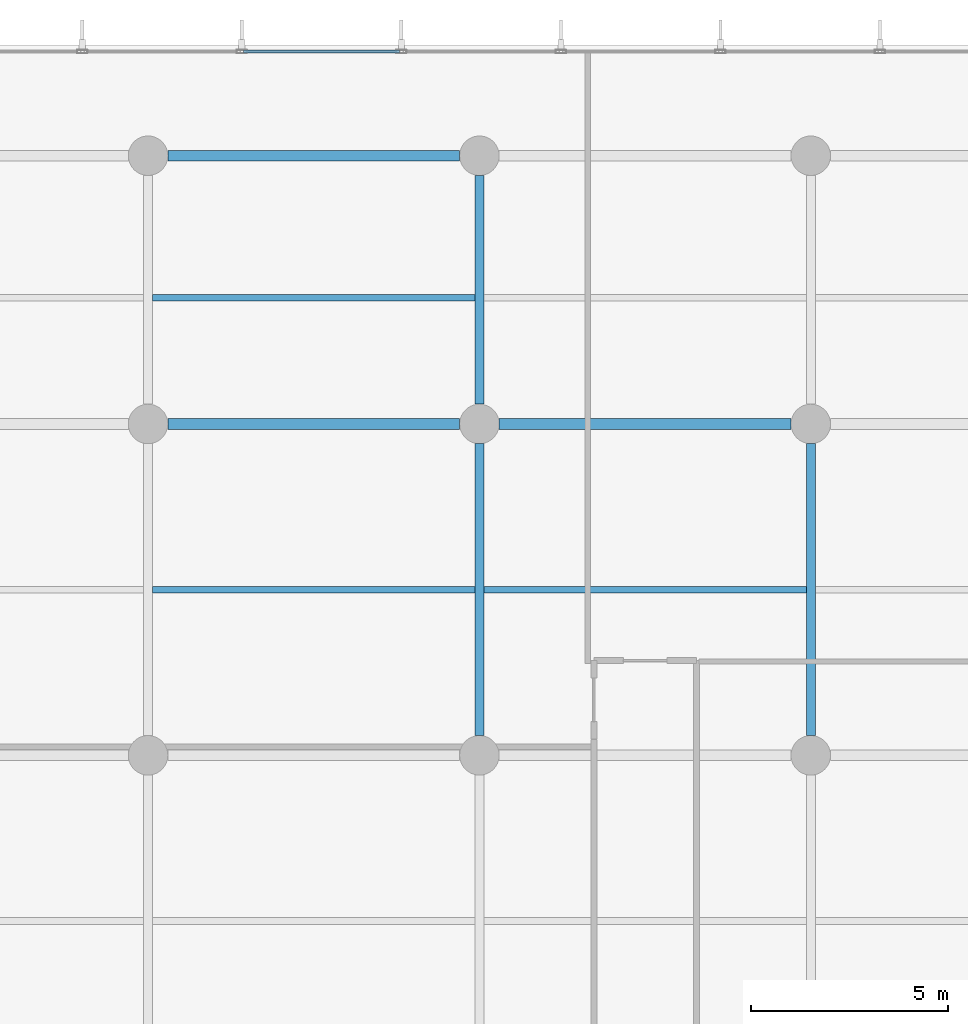
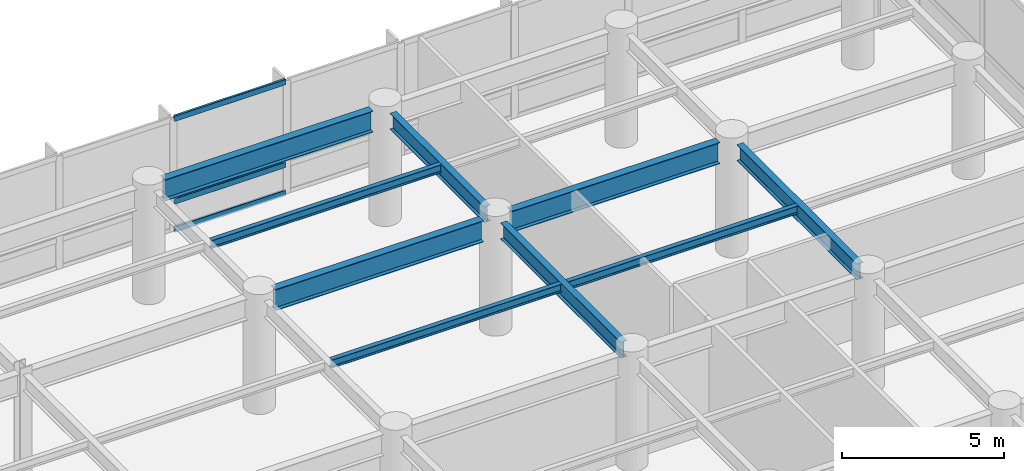
# One storey, part 10 of 26: 9 beams, 3 members, 1 element without a shape of its own.
"""IFC4 building model written with IfcOpenShell, lengths in metres."""

from ifc_helpers import new_model, si_unit, direction, frame, origin, origin_2d, place, context, subcontext, project, spatial, hollow_rectangle, i_section, extrude, material, layer, layer_set, material_profile, profile_set, type_object, element, aggregate, save


model = new_model("IFC4")

# Units and contexts
model_context = context("Model", 3, precision=1e-05, world=origin(), true_north=direction((0.0, 1.0)))
body_context = subcontext(model_context, "Body", "Model", "MODEL_VIEW")
ifc_project = project(units=[si_unit("LENGTHUNIT", "METRE"), si_unit("AREAUNIT", "SQUARE_METRE"), si_unit("VOLUMEUNIT", "CUBIC_METRE"), si_unit("PLANEANGLEUNIT", "RADIAN"), si_unit("MASSUNIT", "GRAM", prefix="KILO")], contexts=[model_context])

# Site, building, storey
site_placement = place(None, origin())
site = spatial("IfcSite", under=ifc_project, at=site_placement, CompositionType="ELEMENT")
building_placement = place(site_placement, origin())
building = spatial("IfcBuilding", under=site, at=building_placement, Name="Varnakote Quay Hospital", CompositionType="ELEMENT")
storey_placement = place(building_placement, frame((0.0, 0.0, 4.5)))
storey = spatial("IfcBuildingStorey", under=building, at=storey_placement, Name="L01", CompositionType="ELEMENT", Elevation=4.5)

# Beams
ifc_material_1 = material(Name="Structural steel AS/NZS 3679.1 Grade 350 L0 (fy 340 MPa)", Category="steel")
ifc_material_profile_1 = material_profile(ifc_material_1, i_section(OverallWidth=0.22802734375, OverallDepth=0.60205078125, WebThickness=0.010498046875, FlangeThickness=0.014892578125, FilletRadius=0.013916015625, at=origin_2d()), Name="610UB101")
ifc_profile_set_1 = profile_set([ifc_material_profile_1], Name="Structural steel AS/NZS 3679.1 Grade 350 L0 (fy 340 MPa)")
beam_type_1 = type_object("IfcBeamType", Name="BM-STL-610UB101", PredefinedType="BEAM", material=ifc_profile_set_1)
beam_1_placement = place(storey_placement, frame((67.199951171875, 29.300048828125, 3.948974609375), z_axis=(0.0, 1.0, 0.0), x_axis=(-1.0, 0.0, 0.0)))
element("IfcBeam", 1, at=beam_1_placement, inside=storey, type_object=beam_type_1, Name="L01 Primary Tie Beam", PredefinedType="BEAM", context=body_context, shape_type="SweptSolid", body=[
    extrude(i_section(OverallWidth=0.22802734375, OverallDepth=0.60205078125, WebThickness=0.010498046875, FlangeThickness=0.014892578125, FilletRadius=0.013916015625, at=origin_2d()), origin(), (0.0, 0.0, 1.0), 7.39990234375),
])
beam_2_placement = place(storey_placement, frame((67.199951171875, 37.699951171875, 3.948974609375), z_axis=(0.0, 1.0, 0.0), x_axis=(-1.0, 0.0, 0.0)))
element("IfcBeam", 2, at=beam_2_placement, inside=storey, type_object=beam_type_1, Name="L01 Primary Tie Beam", PredefinedType="BEAM", context=body_context, shape_type="SweptSolid", body=[
    extrude(i_section(OverallWidth=0.22802734375, OverallDepth=0.60205078125, WebThickness=0.010498046875, FlangeThickness=0.014892578125, FilletRadius=0.013916015625, at=origin_2d()), origin(), (0.0, 0.0, 1.0), 5.800048828125),
])
beam_3_placement = place(storey_placement, frame((75.60009765625, 29.300048828125, 3.948974609375), z_axis=(0.0, 1.0, 0.0), x_axis=(-1.0, 0.0, 0.0)))
element("IfcBeam", 3, at=beam_3_placement, inside=storey, type_object=beam_type_1, Name="L01 Primary Tie Beam", PredefinedType="BEAM", context=body_context, shape_type="SweptSolid", body=[
    extrude(i_section(OverallWidth=0.22802734375, OverallDepth=0.60205078125, WebThickness=0.010498046875, FlangeThickness=0.014892578125, FilletRadius=0.013916015625, at=origin_2d()), origin(), (0.0, 0.0, 1.0), 7.39990234375),
])
ifc_material_2 = material(Name="Structural steel AS/NZS 3678 Grade 350 (fy 340 MPa)", Category="steel")
ifc_material_profile_2 = material_profile(ifc_material_2, i_section(OverallWidth=0.27490234375, OverallDepth=0.800048828125, WebThickness=0.010009765625, FlangeThickness=0.02001953125, at=origin_2d()), Name="800WB146")
ifc_profile_set_2 = profile_set([ifc_material_profile_2], Name="Structural steel AS/NZS 3678 Grade 350 (fy 340 MPa)")
beam_type_2 = type_object("IfcBeamType", Name="BM-STL-800WB146", PredefinedType="BEAM", material=ifc_profile_set_2)
beam_4_placement = place(storey_placement, frame((59.300048828125, 37.199951171875, 3.85009765625), z_axis=(1.0, 0.0, 0.0), x_axis=(0.0, 1.0, 0.0)))
element("IfcBeam", 4, at=beam_4_placement, inside=storey, type_object=beam_type_2, Name="L01 Primary Floor Beam", PredefinedType="BEAM", context=body_context, shape_type="SweptSolid", body=[
    extrude(i_section(OverallWidth=0.27490234375, OverallDepth=0.800048828125, WebThickness=0.010009765625, FlangeThickness=0.02001953125, at=origin_2d()), origin(), (0.0, 0.0, 1.0), 7.39990234375),
])
beam_5_placement = place(storey_placement, frame((67.699951171875, 37.199951171875, 3.85009765625), z_axis=(1.0, 0.0, 0.0), x_axis=(0.0, 1.0, 0.0)))
element("IfcBeam", 5, at=beam_5_placement, inside=storey, type_object=beam_type_2, Name="L01 Primary Floor Beam", PredefinedType="BEAM", context=body_context, shape_type="SweptSolid", body=[
    extrude(i_section(OverallWidth=0.27490234375, OverallDepth=0.800048828125, WebThickness=0.010009765625, FlangeThickness=0.02001953125, at=origin_2d()), origin(), (0.0, 0.0, 1.0), 7.400146484375),
])
beam_6_placement = place(storey_placement, frame((59.300048828125, 44.0, 3.85009765625), z_axis=(1.0, 0.0, 0.0), x_axis=(0.0, 1.0, 0.0)))
element("IfcBeam", 6, at=beam_6_placement, inside=storey, type_object=beam_type_2, Name="L01 Primary Floor Beam", PredefinedType="BEAM", context=body_context, shape_type="SweptSolid", body=[
    extrude(i_section(OverallWidth=0.27490234375, OverallDepth=0.800048828125, WebThickness=0.010009765625, FlangeThickness=0.02001953125, at=origin_2d()), origin(), (0.0, 0.0, 1.0), 7.39990234375),
])

# Curtain wall, members
ifc_material_3 = material(Name="Anodised aluminium 6063-T6 Bronze", Category="aluminium")
ifc_layer = layer(ifc_material_3, 0.175048828125)
ifc_layer_set = layer_set([ifc_layer], Name="Anodised aluminium 6063-T6 Bronze")
curtain_wall_type = type_object("IfcCurtainWallType", Name="CW-SYS-1", PredefinedType="NOTDEFINED", material=ifc_layer_set)
curtain_wall_placement = place(storey_placement, origin())
curtain_wall = element("IfcCurtainWall", 7, at=curtain_wall_placement, inside=storey, type_object=curtain_wall_type, Name="L01 Unitised Bronze Curtain Wall 2", PredefinedType="NOTDEFINED")
ifc_material_4 = material(Name="Anodised aluminium 6063-T6 Bronze", Category="aluminium")
ifc_material_profile_3 = material_profile(ifc_material_4, hollow_rectangle(XDim=0.0849609375, YDim=0.2099609375, WallThickness=0.00439453125, InnerFilletRadius=0.00439453125, OuterFilletRadius=0.009033203125, at=origin_2d()), Name="CW-TRAN-210x85")
ifc_profile_set_3 = profile_set([ifc_material_profile_3], Name="Anodised aluminium 6063-T6 Bronze")
member_type = type_object("IfcMemberType", Name="CW-TRAN-210x85", PredefinedType="USERDEFINED", material=ifc_profile_set_3)
member_1_placement = place(storey_placement, frame((65.179931640625, 46.639892578125, 0.04248046875), z_axis=(-1.0, 0.0, 0.0), x_axis=(0.0, -1.0, 0.0)))
member_1 = element("IfcMember", 8, at=member_1_placement, type_object=member_type, Name="-1-L01-2 transom 6.1", ObjectType="TRANSOM", PredefinedType="USERDEFINED", context=body_context, shape_type="SweptSolid", body=[
    extrude(hollow_rectangle(XDim=0.0849609375, YDim=0.2099609375, WallThickness=0.00439453125, InnerFilletRadius=0.00439453125, OuterFilletRadius=0.009033203125, at=origin_2d()), origin(), (0.0, 0.0, 1.0), 3.95849609375),
])
member_2_placement = place(storey_placement, frame((65.179931640625, 46.639892578125, 1.10009765625), z_axis=(-1.0, 0.0, 0.0), x_axis=(0.0, -1.0, 0.0)))
member_2 = element("IfcMember", 9, at=member_2_placement, type_object=member_type, Name="-1-L01-2 transom 6.2", ObjectType="TRANSOM", PredefinedType="USERDEFINED", context=body_context, shape_type="SweptSolid", body=[
    extrude(hollow_rectangle(XDim=0.0849609375, YDim=0.2099609375, WallThickness=0.00439453125, InnerFilletRadius=0.00439453125, OuterFilletRadius=0.009033203125, at=origin_2d()), origin(), (0.0, 0.0, 1.0), 3.95849609375),
])
member_3_placement = place(storey_placement, frame((65.179931640625, 46.639892578125, 4.20751953125), z_axis=(-1.0, 0.0, 0.0), x_axis=(0.0, -1.0, 0.0)))
member_3 = element("IfcMember", 10, at=member_3_placement, type_object=member_type, Name="-1-L01-2 transom 6.3", ObjectType="TRANSOM", PredefinedType="USERDEFINED", context=body_context, shape_type="SweptSolid", body=[
    extrude(hollow_rectangle(XDim=0.0849609375, YDim=0.2099609375, WallThickness=0.00439453125, InnerFilletRadius=0.00439453125, OuterFilletRadius=0.009033203125, at=origin_2d()), origin(), (0.0, 0.0, 1.0), 3.95849609375),
])
aggregate(curtain_wall, [member_1, member_2, member_3])

# Beams
ifc_material_5 = material(Name="Structural steel AS/NZS 3679.1 Grade 350 L0 (fy 340 MPa)", Category="steel")
ifc_material_profile_4 = material_profile(ifc_material_5, i_section(OverallWidth=0.166015625, OverallDepth=0.306884765625, WebThickness=0.006591796875, FlangeThickness=0.01171875, FilletRadius=0.011474609375, at=origin_2d()), Name="310UB46.2")
ifc_profile_set_4 = profile_set([ifc_material_profile_4], Name="Structural steel AS/NZS 3679.1 Grade 350 L0 (fy 340 MPa)")
beam_type_3 = type_object("IfcBeamType", Name="JST-STL-310UB46-2", PredefinedType="JOIST", material=ifc_profile_set_4)
beam_7_placement = place(storey_placement, frame((58.9140625, 33.0, 4.096435546875), z_axis=(1.0, 0.0, 0.0), x_axis=(0.0, 1.0, 0.0)))
element("IfcBeam", 11, at=beam_7_placement, inside=storey, type_object=beam_type_3, Name="L01 Composite Floor Joist", PredefinedType="JOIST", context=body_context, shape_type="SweptSolid", body=[
    extrude(i_section(OverallWidth=0.166015625, OverallDepth=0.306884765625, WebThickness=0.006591796875, FlangeThickness=0.01171875, FilletRadius=0.011474609375, at=origin_2d()), origin(), (0.0, 0.0, 1.0), 8.171875),
])
beam_8_placement = place(storey_placement, frame((67.31396484375, 33.0, 4.096435546875), z_axis=(1.0, 0.0, 0.0), x_axis=(0.0, 1.0, 0.0)))
element("IfcBeam", 12, at=beam_8_placement, inside=storey, type_object=beam_type_3, Name="L01 Composite Floor Joist", PredefinedType="JOIST", context=body_context, shape_type="SweptSolid", body=[
    extrude(i_section(OverallWidth=0.166015625, OverallDepth=0.306884765625, WebThickness=0.006591796875, FlangeThickness=0.01171875, FilletRadius=0.011474609375, at=origin_2d()), origin(), (0.0, 0.0, 1.0), 8.172119140625),
])
beam_9_placement = place(storey_placement, frame((58.9140625, 40.39990234375, 4.096435546875), z_axis=(1.0, 0.0, 0.0), x_axis=(0.0, 1.0, 0.0)))
element("IfcBeam", 13, at=beam_9_placement, inside=storey, type_object=beam_type_3, Name="L01 Composite Floor Joist", PredefinedType="JOIST", context=body_context, shape_type="SweptSolid", body=[
    extrude(i_section(OverallWidth=0.166015625, OverallDepth=0.306884765625, WebThickness=0.006591796875, FlangeThickness=0.01171875, FilletRadius=0.011474609375, at=origin_2d()), origin(), (0.0, 0.0, 1.0), 8.171875),
])

save(model, "model.ifc")
